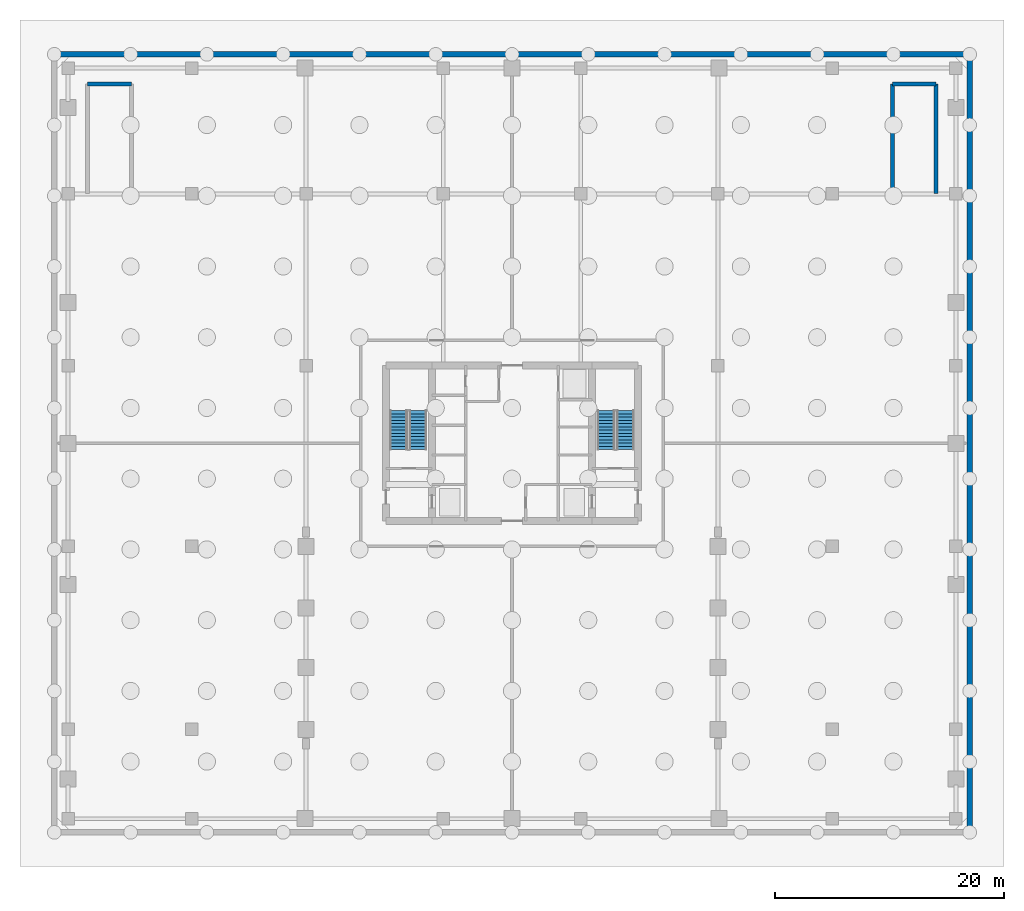
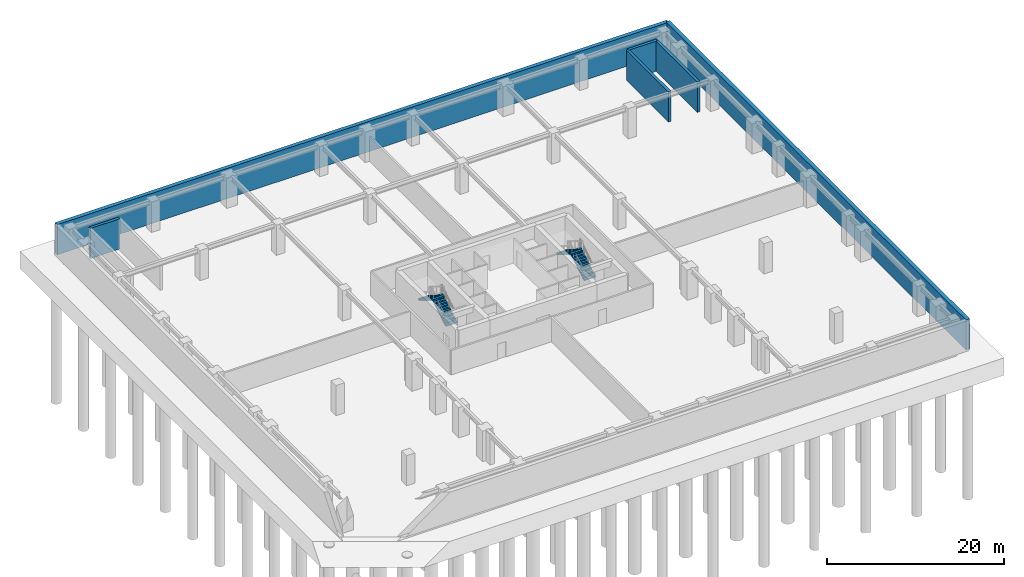
# One storey, part 6 of 8: 6 walls, 4 stair flights, 2 elements without a shape of their own.
"""IFC4 building model written with IfcOpenShell, lengths in metres."""

from ifc_helpers import new_model, si_unit, direction, frame, frame_2d, origin, place, context, subcontext, project, spatial, polyline, rectangle, outline, extrude, material, layer, layer_set, type_object, element, aggregate, save


model = new_model("IFC4")

# Units and contexts
model_context = context("Model", 3, precision=1e-05, world=origin(), true_north=direction((0.0, 1.0)))
body_context = subcontext(model_context, "Body", "Model", "MODEL_VIEW")
ifc_project = project(units=[si_unit("LENGTHUNIT", "METRE"), si_unit("AREAUNIT", "SQUARE_METRE"), si_unit("VOLUMEUNIT", "CUBIC_METRE"), si_unit("PLANEANGLEUNIT", "RADIAN"), si_unit("MASSUNIT", "GRAM", prefix="KILO")], contexts=[model_context])

# Site, building, storey
site_placement = place(None, origin())
site = spatial("IfcSite", under=ifc_project, at=site_placement, CompositionType="ELEMENT")
building_placement = place(site_placement, origin())
building = spatial("IfcBuilding", under=site, at=building_placement, Name="Sarneth Arch Tower", CompositionType="ELEMENT")
storey_placement = place(building_placement, frame((0.0, 0.0, -9.0)))
storey = spatial("IfcBuildingStorey", under=building, at=storey_placement, Name="B02", CompositionType="ELEMENT", Elevation=-9.0)

# Walls
ifc_material_1 = material(Name="Concrete C50/60", Category="concrete")
ifc_layer_1 = layer(ifc_material_1, 0.35009765625)
ifc_layer_set_1 = layer_set([ifc_layer_1], Name="Concrete C50/60")
wall_type_1 = type_object("IfcWallType", Name="WALL-CORE-350", PredefinedType="SHEAR", material=ifc_layer_set_1)
wall_1_placement = place(storey_placement, frame((10.89990234375, 73.39990234375, 0.0), z_axis=(0.0, 0.0, 1.0), x_axis=(1.0, 0.0, 0.0)))
element("IfcWall", 1, at=wall_1_placement, inside=storey, type_object=wall_type_1, Name="B02 Podium stair core wall STP1-N", PredefinedType="SHEAR", context=body_context, shape_type="SweptSolid", body=[
    extrude(rectangle(XDim=3.85009765625, YDim=0.35009765625, at=frame_2d((1.925048828125, 0.0))), origin(), (0.0, 0.0, 1.0), 4.179931640625),
])
for number, where, z_axis, x_axis, name in (
    (2, (81.25, 63.85009765625, 0.0), (0.0, 0.0, 1.0), (0.0, 1.0, 0.0), "B02 Podium stair core wall STP2-W"),
    (3, (85.050048828125, 63.85009765625, 0.0), (0.0, 0.0, 1.0), (0.0, 1.0, 0.0), "B02 Podium stair core wall STP2-E"),
):
    element("IfcWall", number, at=place(storey_placement, frame(where, z_axis=z_axis, x_axis=x_axis)), inside=storey, type_object=wall_type_1, Name=name, PredefinedType="SHEAR", context=body_context, shape_type="SweptSolid", body=[
        extrude(rectangle(XDim=9.5498046875, YDim=0.35009765625, at=frame_2d((4.77490234375, 0.0))), origin(), (0.0, 0.0, 1.0), 4.179931640625),
    ])
wall_2_placement = place(storey_placement, frame((81.25, 73.39990234375, 0.0), z_axis=(0.0, 0.0, 1.0), x_axis=(1.0, 0.0, 0.0)))
element("IfcWall", 4, at=wall_2_placement, inside=storey, type_object=wall_type_1, Name="B02 Podium stair core wall STP2-N", PredefinedType="SHEAR", context=body_context, shape_type="SweptSolid", body=[
    extrude(rectangle(XDim=3.800048828125, YDim=0.35009765625, at=frame_2d((1.89990234375, 0.0))), origin(), (0.0, 0.0, 1.0), 4.179931640625),
])
ifc_material_2 = material(Name="Concrete C50/60", Category="concrete")
ifc_layer_2 = layer(ifc_material_2, 0.5)
ifc_layer_set_2 = layer_set([ifc_layer_2], Name="Concrete C50/60")
wall_type_2 = type_object("IfcWallType", Name="WALL-RET-500", PredefinedType="SOLIDWALL", material=ifc_layer_set_2)
wall_3_placement = place(storey_placement, frame((88.0, 8.0, 0.0), z_axis=(0.0, 0.0, 1.0), x_axis=(0.0, 1.0, 0.0)))
element("IfcWall", 5, at=wall_3_placement, inside=storey, type_object=wall_type_2, Name="B02 Basement retaining wall E", PredefinedType="SOLIDWALL", context=body_context, shape_type="SweptSolid", body=[
    extrude(rectangle(XDim=68.0, YDim=0.5, at=frame_2d((34.0, 0.0))), origin(), (0.0, 0.0, 1.0), 4.179931640625),
])
wall_4_placement = place(storey_placement, frame((88.0, 76.0, 0.0), z_axis=(0.0, 0.0, 1.0), x_axis=(-1.0, 0.0, 0.0)))
element("IfcWall", 6, at=wall_4_placement, inside=storey, type_object=wall_type_2, Name="B02 Basement retaining wall N", PredefinedType="SOLIDWALL", context=body_context, shape_type="SweptSolid", body=[
    extrude(rectangle(XDim=80.0, YDim=0.5, at=frame_2d((40.0, 0.0))), origin(), (0.0, 0.0, 1.0), 4.179931640625),
])

# Stair, stair flights
ifc_material_3 = material(Name="Concrete C50/60", Category="concrete")
stair_type = type_object("IfcStairType", Name="STAIR-CORE-RC", PredefinedType="HALF_TURN_STAIR", material=ifc_material_3)
stair_1_placement = place(storey_placement, origin())
stair_1 = element("IfcStair", 7, at=stair_1_placement, inside=storey, type_object=stair_type, Name="B02 Core Exit Stair 1", PredefinedType="HALF_TURN_STAIR")
ifc_material_4 = material(Name="Concrete C50/60", Category="concrete")
stair_flight_type = type_object("IfcStairFlightType", Name="FLIGHT-RC-1500", PredefinedType="STRAIGHT", material=ifc_material_4)
stair_flight_1_placement = place(storey_placement, frame((39.800048828125, 41.449951171875, 0.0), z_axis=(0.0, 0.0, 1.0), x_axis=(0.0, 1.0, 0.0)))
stair_flight_1 = element("IfcStairFlight", 8, at=stair_flight_1_placement, type_object=stair_flight_type, Name="ST-1 flight 1", NumberOfRisers=13, NumberOfTreads=12, PredefinedType="STRAIGHT", RiserHeight=0.173076923, TreadLength=0.285, context=body_context, shape_type="SweptSolid", body=[
    extrude(outline(polyline([(0.0, 0.0), (0.0, 0.173095703125), (0.284912109375, 0.173095703125), (0.284912109375, 0.34619140625), (0.570068359375, 0.34619140625), (0.570068359375, 0.519287109375), (0.85498046875, 0.519287109375), (0.85498046875, 0.6923828125), (1.139892578125, 0.6923828125), (1.139892578125, 0.865478515625), (1.425048828125, 0.865478515625), (1.425048828125, 1.03857421875), (1.7099609375, 1.03857421875), (1.7099609375, 1.21142578125), (1.9951171875, 1.21142578125), (1.9951171875, 1.384521484375), (2.280029296875, 1.384521484375), (2.280029296875, 1.5576171875), (2.56494140625, 1.5576171875), (2.56494140625, 1.730712890625), (2.85009765625, 1.730712890625), (2.85009765625, 1.90380859375), (3.135009765625, 1.90380859375), (3.135009765625, 2.076904296875), (3.419921875, 2.076904296875), (3.419921875, 2.25), (3.419921875, 1.901611328125), (0.288818359375, 0.0), (0.0, 0.0)])), frame((0.0, 0.75, 0.0), z_axis=(0.0, -1.0, 0.0), x_axis=(1.0, 0.0, 0.0)), (0.0, 0.0, 1.0), 1.5),
])
stair_flight_2_placement = place(storey_placement, frame((38.10009765625, 44.8701171875, 2.25), z_axis=(0.0, 0.0, 1.0), x_axis=(0.0, -1.0, 0.0)))
stair_flight_2 = element("IfcStairFlight", 9, at=stair_flight_2_placement, type_object=stair_flight_type, Name="ST-1 flight 2", NumberOfRisers=13, NumberOfTreads=12, PredefinedType="STRAIGHT", RiserHeight=0.173076923, TreadLength=0.285, context=body_context, shape_type="SweptSolid", body=[
    extrude(outline(polyline([(0.0, 0.0), (0.0, 0.173095703125), (0.284912109375, 0.173095703125), (0.284912109375, 0.34619140625), (0.570068359375, 0.34619140625), (0.570068359375, 0.519287109375), (0.85498046875, 0.519287109375), (0.85498046875, 0.6923828125), (1.139892578125, 0.6923828125), (1.139892578125, 0.865478515625), (1.425048828125, 0.865478515625), (1.425048828125, 1.03857421875), (1.7099609375, 1.03857421875), (1.7099609375, 1.21142578125), (1.9951171875, 1.21142578125), (1.9951171875, 1.384521484375), (2.280029296875, 1.384521484375), (2.280029296875, 1.5576171875), (2.56494140625, 1.5576171875), (2.56494140625, 1.730712890625), (2.85009765625, 1.730712890625), (2.85009765625, 1.90380859375), (3.135009765625, 1.90380859375), (3.135009765625, 2.076904296875), (3.419921875, 2.076904296875), (3.419921875, 2.25), (3.419921875, 1.901611328125), (0.288818359375, 0.0), (0.0, 0.0)])), frame((0.0, 0.75, 0.0), z_axis=(0.0, -1.0, 0.0), x_axis=(1.0, 0.0, 0.0)), (0.0, 0.0, 1.0), 1.5),
])
aggregate(stair_1, [stair_flight_1, stair_flight_2])

stair_2_placement = place(storey_placement, origin())
stair_2 = element("IfcStair", 10, at=stair_2_placement, inside=storey, type_object=stair_type, Name="B02 Core Exit Stair 2", PredefinedType="HALF_TURN_STAIR")
stair_flight_3_placement = place(storey_placement, frame((57.89990234375, 41.449951171875, 0.0), z_axis=(0.0, 0.0, 1.0), x_axis=(0.0, 1.0, 0.0)))
stair_flight_3 = element("IfcStairFlight", 11, at=stair_flight_3_placement, type_object=stair_flight_type, Name="ST-2 flight 1", NumberOfRisers=13, NumberOfTreads=12, PredefinedType="STRAIGHT", RiserHeight=0.173076923, TreadLength=0.285, context=body_context, shape_type="SweptSolid", body=[
    extrude(outline(polyline([(0.0, 0.0), (0.0, 0.173095703125), (0.284912109375, 0.173095703125), (0.284912109375, 0.34619140625), (0.570068359375, 0.34619140625), (0.570068359375, 0.519287109375), (0.85498046875, 0.519287109375), (0.85498046875, 0.6923828125), (1.139892578125, 0.6923828125), (1.139892578125, 0.865478515625), (1.425048828125, 0.865478515625), (1.425048828125, 1.03857421875), (1.7099609375, 1.03857421875), (1.7099609375, 1.21142578125), (1.9951171875, 1.21142578125), (1.9951171875, 1.384521484375), (2.280029296875, 1.384521484375), (2.280029296875, 1.5576171875), (2.56494140625, 1.5576171875), (2.56494140625, 1.730712890625), (2.85009765625, 1.730712890625), (2.85009765625, 1.90380859375), (3.135009765625, 1.90380859375), (3.135009765625, 2.076904296875), (3.419921875, 2.076904296875), (3.419921875, 2.25), (3.419921875, 1.901611328125), (0.288818359375, 0.0), (0.0, 0.0)])), frame((0.0, 0.75, 0.0), z_axis=(0.0, -1.0, 0.0), x_axis=(1.0, 0.0, 0.0)), (0.0, 0.0, 1.0), 1.5),
])
stair_flight_4_placement = place(storey_placement, frame((56.199951171875, 44.8701171875, 2.25), z_axis=(0.0, 0.0, 1.0), x_axis=(0.0, -1.0, 0.0)))
stair_flight_4 = element("IfcStairFlight", 12, at=stair_flight_4_placement, type_object=stair_flight_type, Name="ST-2 flight 2", NumberOfRisers=13, NumberOfTreads=12, PredefinedType="STRAIGHT", RiserHeight=0.173076923, TreadLength=0.285, context=body_context, shape_type="SweptSolid", body=[
    extrude(outline(polyline([(0.0, 0.0), (0.0, 0.173095703125), (0.284912109375, 0.173095703125), (0.284912109375, 0.34619140625), (0.570068359375, 0.34619140625), (0.570068359375, 0.519287109375), (0.85498046875, 0.519287109375), (0.85498046875, 0.6923828125), (1.139892578125, 0.6923828125), (1.139892578125, 0.865478515625), (1.425048828125, 0.865478515625), (1.425048828125, 1.03857421875), (1.7099609375, 1.03857421875), (1.7099609375, 1.21142578125), (1.9951171875, 1.21142578125), (1.9951171875, 1.384521484375), (2.280029296875, 1.384521484375), (2.280029296875, 1.5576171875), (2.56494140625, 1.5576171875), (2.56494140625, 1.730712890625), (2.85009765625, 1.730712890625), (2.85009765625, 1.90380859375), (3.135009765625, 1.90380859375), (3.135009765625, 2.076904296875), (3.419921875, 2.076904296875), (3.419921875, 2.25), (3.419921875, 1.901611328125), (0.288818359375, 0.0), (0.0, 0.0)])), frame((0.0, 0.75, 0.0), z_axis=(0.0, -1.0, 0.0), x_axis=(1.0, 0.0, 0.0)), (0.0, 0.0, 1.0), 1.5),
])
aggregate(stair_2, [stair_flight_3, stair_flight_4])

save(model, "model.ifc")
